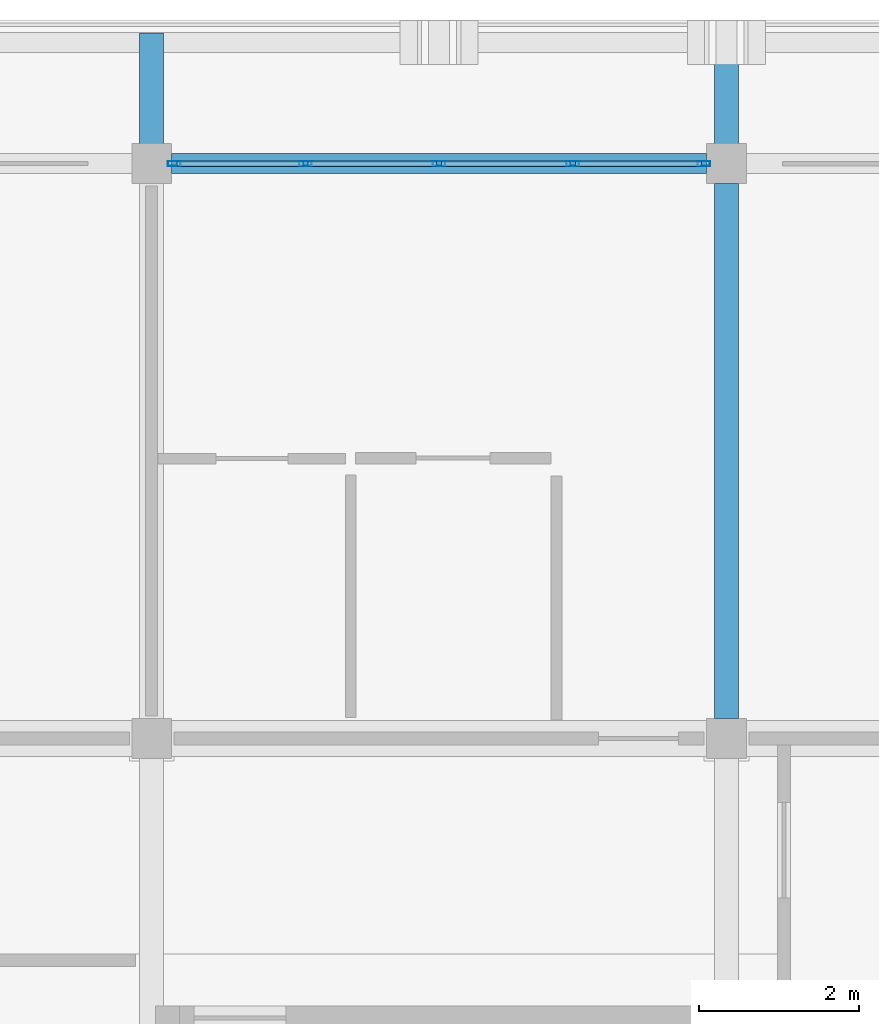
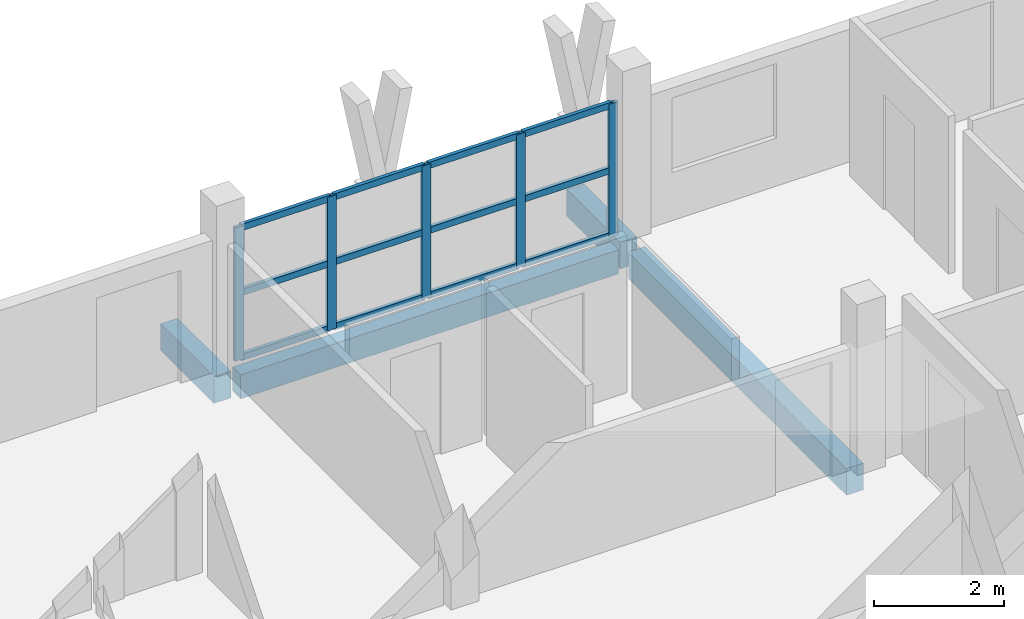
# One storey, part 4 of 32: 17 members, 4 beams, 1 element without a shape of its own.
"""IFC4 building model written with IfcOpenShell, lengths in metres."""

from ifc_helpers import new_model, si_unit, direction, frame, origin, origin_2d, place, context, subcontext, project, spatial, rectangle, hollow_rectangle, extrude, material, material_profile, profile_set, type_object, element, aggregate, save


model = new_model("IFC4")

# Units and contexts
model_context = context("Model", 3, precision=1e-05, world=origin(), true_north=direction((0.0, 1.0)))
body_context = subcontext(model_context, "Body", "Model", "MODEL_VIEW")
ifc_project = project(units=[si_unit("LENGTHUNIT", "METRE"), si_unit("AREAUNIT", "SQUARE_METRE"), si_unit("VOLUMEUNIT", "CUBIC_METRE"), si_unit("PLANEANGLEUNIT", "RADIAN"), si_unit("MASSUNIT", "GRAM", prefix="KILO")], contexts=[model_context])

# Site, building, storey
site_placement = place(None, origin())
site = spatial("IfcSite", under=ifc_project, at=site_placement, CompositionType="ELEMENT")
building_placement = place(site_placement, origin())
building = spatial("IfcBuilding", under=site, at=building_placement, Name="Suanplinth Sawtooth Commons", CompositionType="ELEMENT")
storey_placement = place(building_placement, frame((0.0, 0.0, 41.199951171875)))
storey = spatial("IfcBuildingStorey", under=building, at=storey_placement, Name="L12", CompositionType="ELEMENT", Elevation=41.199951171875)

# Beams
ifc_material_1 = material(Name="Precast concrete C40/50", Category="concrete")
ifc_material_profile_1 = material_profile(ifc_material_1, rectangle(XDim=0.300048828125, YDim=0.5, at=origin_2d()), Name="PC-BM 300x500")
ifc_profile_set_1 = profile_set([ifc_material_profile_1], Name="Precast concrete C40/50")
beam_type_1 = type_object("IfcBeamType", Name="B-07", PredefinedType="BEAM", material=ifc_profile_set_1)
beam_1_placement = place(storey_placement, frame((50.39990234375, 115.449951171875, -0.4599609375), z_axis=(0.0, 1.0, 0.0), x_axis=(-1.0, 0.0, 0.0)))
element("IfcBeam", 1, at=beam_1_placement, inside=storey, type_object=beam_type_1, Name="BMY-L12-A-7-16", PredefinedType="BEAM", context=body_context, shape_type="SweptSolid", body=[
    extrude(rectangle(XDim=0.300048828125, YDim=0.5, at=origin_2d()), origin(), (0.0, 0.0, 1.0), 6.699951171875),
])
for number, where, z_axis, x_axis, name in (
    (2, (43.199951171875, 122.39990234375, -0.429931640625), (0.0, 1.0, 0.0), (-1.0, 0.0, 0.0), "Balcony Outrigger L12-A-N-6"),
    (3, (50.39990234375, 122.39990234375, -0.429931640625), (0.0, 1.0, 0.0), (-1.0, 0.0, 0.0), "Balcony Outrigger L12-A-N-7"),
):
    element("IfcBeam", number, at=place(storey_placement, frame(where, z_axis=z_axis, x_axis=x_axis)), inside=storey, type_object=beam_type_1, Name=name, PredefinedType="BEAM", context=body_context, shape_type="SweptSolid", body=[
        extrude(rectangle(XDim=0.300048828125, YDim=0.5, at=origin_2d()), origin(), (0.0, 0.0, 1.0), 1.64013671875),
    ])
ifc_material_profile_2 = material_profile(ifc_material_1, rectangle(XDim=0.25, YDim=0.449951171875, at=origin_2d()), Name="PC-SP 250x450")
ifc_profile_set_2 = profile_set([ifc_material_profile_2], Name="Precast concrete C40/50")
beam_type_2 = type_object("IfcBeamType", Name="B-09", PredefinedType="SPANDREL", material=ifc_profile_set_2)
beam_2_placement = place(storey_placement, frame((43.449951171875, 122.39990234375, -0.43505859375), z_axis=(1.0, 0.0, 0.0), x_axis=(0.0, 1.0, 0.0)))
element("IfcBeam", 4, at=beam_2_placement, inside=storey, type_object=beam_type_2, Name="BMX-L12-A-6-17", PredefinedType="SPANDREL", context=body_context, shape_type="SweptSolid", body=[
    extrude(rectangle(XDim=0.25, YDim=0.449951171875, at=origin_2d()), origin(), (0.0, 0.0, 1.0), 6.699951171875),
])

# Curtain wall, members
ifc_material_2 = material(Name="Anodized aluminium and low-E glazing", Category="aluminium")
curtain_wall_type = type_object("IfcCurtainWallType", Name="CW-06", PredefinedType="USERDEFINED", material=ifc_material_2)
curtain_wall_placement = place(storey_placement, origin())
curtain_wall = element("IfcCurtainWall", 5, at=curtain_wall_placement, inside=storey, type_object=curtain_wall_type, Name="Curtain Wall CW-L12-A-LOUNGE-2", ObjectType="CURTAIN WALL", PredefinedType="USERDEFINED")
ifc_material_3 = material(Name="Anodized aluminium 6063-T6", Category="aluminium")
ifc_material_profile_3 = material_profile(ifc_material_3, hollow_rectangle(XDim=0.06494140625, YDim=0.159912109375, WallThickness=0.00390625, at=origin_2d()), Name="ALU-MUL 65x160")
ifc_profile_set_3 = profile_set([ifc_material_profile_3], Name="Anodized aluminium 6063-T6")
member_type_1 = type_object("IfcMemberType", Name="M-13", PredefinedType="MULLION", material=ifc_profile_set_3)
member_1_placement = place(storey_placement, frame((43.482421875, 122.39990234375, 0.0), z_axis=(0.0, 0.0, 1.0), x_axis=(0.0, 1.0, 0.0)))
member_1 = element("IfcMember", 6, at=member_1_placement, type_object=member_type_1, Name="CW-06 mullion 1", PredefinedType="MULLION", context=body_context, shape_type="SweptSolid", body=[
    extrude(hollow_rectangle(XDim=0.06494140625, YDim=0.159912109375, WallThickness=0.00390625, at=origin_2d()), origin(), (0.0, 0.0, 1.0), 2.5),
])
member_2_placement = place(storey_placement, frame((45.125, 122.39990234375, 0.0), z_axis=(0.0, 0.0, 1.0), x_axis=(0.0, 1.0, 0.0)))
member_2 = element("IfcMember", 7, at=member_2_placement, type_object=member_type_1, Name="CW-06 mullion 2", PredefinedType="MULLION", context=body_context, shape_type="SweptSolid", body=[
    extrude(hollow_rectangle(XDim=0.06494140625, YDim=0.159912109375, WallThickness=0.00390625, at=origin_2d()), origin(), (0.0, 0.0, 1.0), 2.5),
])
member_3_placement = place(storey_placement, frame((46.800048828125, 122.39990234375, 0.0), z_axis=(0.0, 0.0, 1.0), x_axis=(0.0, 1.0, 0.0)))
member_3 = element("IfcMember", 8, at=member_3_placement, type_object=member_type_1, Name="CW-06 mullion 3", PredefinedType="MULLION", context=body_context, shape_type="SweptSolid", body=[
    extrude(hollow_rectangle(XDim=0.06494140625, YDim=0.159912109375, WallThickness=0.00390625, at=origin_2d()), origin(), (0.0, 0.0, 1.0), 2.5),
])
member_4_placement = place(storey_placement, frame((48.47509765625, 122.39990234375, 0.0), z_axis=(0.0, 0.0, 1.0), x_axis=(0.0, 1.0, 0.0)))
member_4 = element("IfcMember", 9, at=member_4_placement, type_object=member_type_1, Name="CW-06 mullion 4", PredefinedType="MULLION", context=body_context, shape_type="SweptSolid", body=[
    extrude(hollow_rectangle(XDim=0.06494140625, YDim=0.159912109375, WallThickness=0.00390625, at=origin_2d()), origin(), (0.0, 0.0, 1.0), 2.5),
])
member_5_placement = place(storey_placement, frame((50.117431640625, 122.39990234375, 0.0), z_axis=(0.0, 0.0, 1.0), x_axis=(0.0, 1.0, 0.0)))
member_5 = element("IfcMember", 10, at=member_5_placement, type_object=member_type_1, Name="CW-06 mullion 5", PredefinedType="MULLION", context=body_context, shape_type="SweptSolid", body=[
    extrude(hollow_rectangle(XDim=0.06494140625, YDim=0.159912109375, WallThickness=0.00390625, at=origin_2d()), origin(), (0.0, 0.0, 1.0), 2.5),
])
ifc_material_profile_4 = material_profile(ifc_material_3, hollow_rectangle(XDim=0.06494140625, YDim=0.1201171875, WallThickness=0.00390625, at=origin_2d()), Name="ALU-TRN 65x120")
ifc_profile_set_4 = profile_set([ifc_material_profile_4], Name="Anodized aluminium 6063-T6")
member_type_2 = type_object("IfcMemberType", Name="M-15", PredefinedType="USERDEFINED", material=ifc_profile_set_4)
member_6_placement = place(storey_placement, frame((43.514892578125, 122.39990234375, 0.032470703125), z_axis=(1.0, 0.0, 0.0), x_axis=(0.0, 1.0, 0.0)))
member_6 = element("IfcMember", 11, at=member_6_placement, type_object=member_type_2, Name="CW-06 transom 1.1", ObjectType="TRANSOM", PredefinedType="USERDEFINED", context=body_context, shape_type="SweptSolid", body=[
    extrude(hollow_rectangle(XDim=0.06494140625, YDim=0.1201171875, WallThickness=0.00390625, at=origin_2d()), origin(), (0.0, 0.0, 1.0), 1.57763671875),
])
member_7_placement = place(storey_placement, frame((43.514892578125, 122.39990234375, 1.25), z_axis=(1.0, 0.0, 0.0), x_axis=(0.0, 1.0, 0.0)))
member_7 = element("IfcMember", 12, at=member_7_placement, type_object=member_type_2, Name="CW-06 transom 1.2", ObjectType="TRANSOM", PredefinedType="USERDEFINED", context=body_context, shape_type="SweptSolid", body=[
    extrude(hollow_rectangle(XDim=0.06494140625, YDim=0.1201171875, WallThickness=0.00390625, at=origin_2d()), origin(), (0.0, 0.0, 1.0), 1.57763671875),
])
member_8_placement = place(storey_placement, frame((43.514892578125, 122.39990234375, 2.467529296875), z_axis=(1.0, 0.0, 0.0), x_axis=(0.0, 1.0, 0.0)))
member_8 = element("IfcMember", 13, at=member_8_placement, type_object=member_type_2, Name="CW-06 transom 1.3", ObjectType="TRANSOM", PredefinedType="USERDEFINED", context=body_context, shape_type="SweptSolid", body=[
    extrude(hollow_rectangle(XDim=0.06494140625, YDim=0.1201171875, WallThickness=0.00390625, at=origin_2d()), origin(), (0.0, 0.0, 1.0), 1.57763671875),
])
member_9_placement = place(storey_placement, frame((45.157470703125, 122.39990234375, 0.032470703125), z_axis=(1.0, 0.0, 0.0), x_axis=(0.0, 1.0, 0.0)))
member_9 = element("IfcMember", 14, at=member_9_placement, type_object=member_type_2, Name="CW-06 transom 2.1", ObjectType="TRANSOM", PredefinedType="USERDEFINED", context=body_context, shape_type="SweptSolid", body=[
    extrude(hollow_rectangle(XDim=0.06494140625, YDim=0.1201171875, WallThickness=0.00390625, at=origin_2d()), origin(), (0.0, 0.0, 1.0), 1.610107421875),
])
member_10_placement = place(storey_placement, frame((45.157470703125, 122.39990234375, 1.25), z_axis=(1.0, 0.0, 0.0), x_axis=(0.0, 1.0, 0.0)))
member_10 = element("IfcMember", 15, at=member_10_placement, type_object=member_type_2, Name="CW-06 transom 2.2", ObjectType="TRANSOM", PredefinedType="USERDEFINED", context=body_context, shape_type="SweptSolid", body=[
    extrude(hollow_rectangle(XDim=0.06494140625, YDim=0.1201171875, WallThickness=0.00390625, at=origin_2d()), origin(), (0.0, 0.0, 1.0), 1.610107421875),
])
member_11_placement = place(storey_placement, frame((45.157470703125, 122.39990234375, 2.467529296875), z_axis=(1.0, 0.0, 0.0), x_axis=(0.0, 1.0, 0.0)))
member_11 = element("IfcMember", 16, at=member_11_placement, type_object=member_type_2, Name="CW-06 transom 2.3", ObjectType="TRANSOM", PredefinedType="USERDEFINED", context=body_context, shape_type="SweptSolid", body=[
    extrude(hollow_rectangle(XDim=0.06494140625, YDim=0.1201171875, WallThickness=0.00390625, at=origin_2d()), origin(), (0.0, 0.0, 1.0), 1.610107421875),
])
member_12_placement = place(storey_placement, frame((46.83251953125, 122.39990234375, 0.032470703125), z_axis=(1.0, 0.0, 0.0), x_axis=(0.0, 1.0, 0.0)))
member_12 = element("IfcMember", 17, at=member_12_placement, type_object=member_type_2, Name="CW-06 transom 3.1", ObjectType="TRANSOM", PredefinedType="USERDEFINED", context=body_context, shape_type="SweptSolid", body=[
    extrude(hollow_rectangle(XDim=0.06494140625, YDim=0.1201171875, WallThickness=0.00390625, at=origin_2d()), origin(), (0.0, 0.0, 1.0), 1.60986328125),
])
member_13_placement = place(storey_placement, frame((46.83251953125, 122.39990234375, 1.25), z_axis=(1.0, 0.0, 0.0), x_axis=(0.0, 1.0, 0.0)))
member_13 = element("IfcMember", 18, at=member_13_placement, type_object=member_type_2, Name="CW-06 transom 3.2", ObjectType="TRANSOM", PredefinedType="USERDEFINED", context=body_context, shape_type="SweptSolid", body=[
    extrude(hollow_rectangle(XDim=0.06494140625, YDim=0.1201171875, WallThickness=0.00390625, at=origin_2d()), origin(), (0.0, 0.0, 1.0), 1.60986328125),
])
member_14_placement = place(storey_placement, frame((46.83251953125, 122.39990234375, 2.467529296875), z_axis=(1.0, 0.0, 0.0), x_axis=(0.0, 1.0, 0.0)))
member_14 = element("IfcMember", 19, at=member_14_placement, type_object=member_type_2, Name="CW-06 transom 3.3", ObjectType="TRANSOM", PredefinedType="USERDEFINED", context=body_context, shape_type="SweptSolid", body=[
    extrude(hollow_rectangle(XDim=0.06494140625, YDim=0.1201171875, WallThickness=0.00390625, at=origin_2d()), origin(), (0.0, 0.0, 1.0), 1.60986328125),
])
member_15_placement = place(storey_placement, frame((48.507568359375, 122.39990234375, 0.032470703125), z_axis=(1.0, 0.0, 0.0), x_axis=(0.0, 1.0, 0.0)))
member_15 = element("IfcMember", 20, at=member_15_placement, type_object=member_type_2, Name="CW-06 transom 4.1", ObjectType="TRANSOM", PredefinedType="USERDEFINED", context=body_context, shape_type="SweptSolid", body=[
    extrude(hollow_rectangle(XDim=0.06494140625, YDim=0.1201171875, WallThickness=0.00390625, at=origin_2d()), origin(), (0.0, 0.0, 1.0), 1.577392578125),
])
member_16_placement = place(storey_placement, frame((48.507568359375, 122.39990234375, 1.25), z_axis=(1.0, 0.0, 0.0), x_axis=(0.0, 1.0, 0.0)))
member_16 = element("IfcMember", 21, at=member_16_placement, type_object=member_type_2, Name="CW-06 transom 4.2", ObjectType="TRANSOM", PredefinedType="USERDEFINED", context=body_context, shape_type="SweptSolid", body=[
    extrude(hollow_rectangle(XDim=0.06494140625, YDim=0.1201171875, WallThickness=0.00390625, at=origin_2d()), origin(), (0.0, 0.0, 1.0), 1.577392578125),
])
member_17_placement = place(storey_placement, frame((48.507568359375, 122.39990234375, 2.467529296875), z_axis=(1.0, 0.0, 0.0), x_axis=(0.0, 1.0, 0.0)))
member_17 = element("IfcMember", 22, at=member_17_placement, type_object=member_type_2, Name="CW-06 transom 4.3", ObjectType="TRANSOM", PredefinedType="USERDEFINED", context=body_context, shape_type="SweptSolid", body=[
    extrude(hollow_rectangle(XDim=0.06494140625, YDim=0.1201171875, WallThickness=0.00390625, at=origin_2d()), origin(), (0.0, 0.0, 1.0), 1.577392578125),
])
aggregate(curtain_wall, [member_1, member_2, member_3, member_4, member_5, member_6, member_7, member_8, member_9, member_10, member_11, member_12, member_13, member_14, member_15, member_16, member_17])

save(model, "model.ifc")
